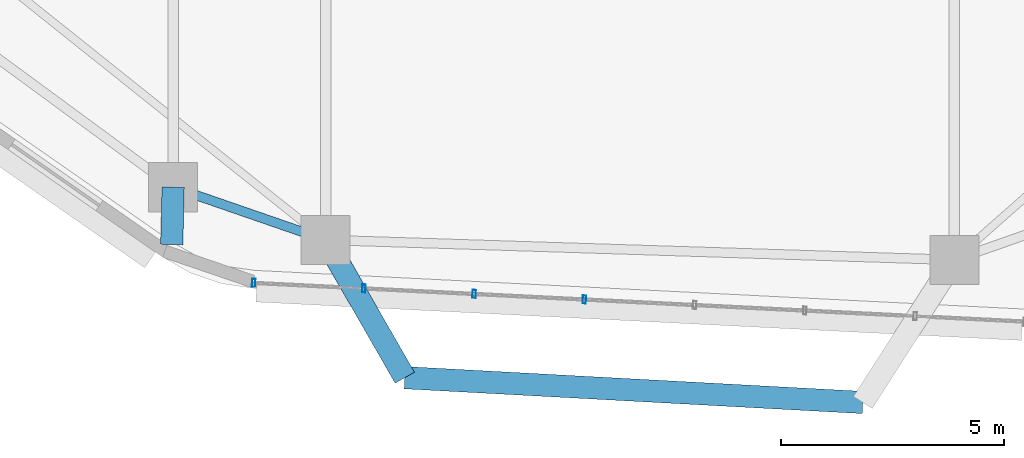
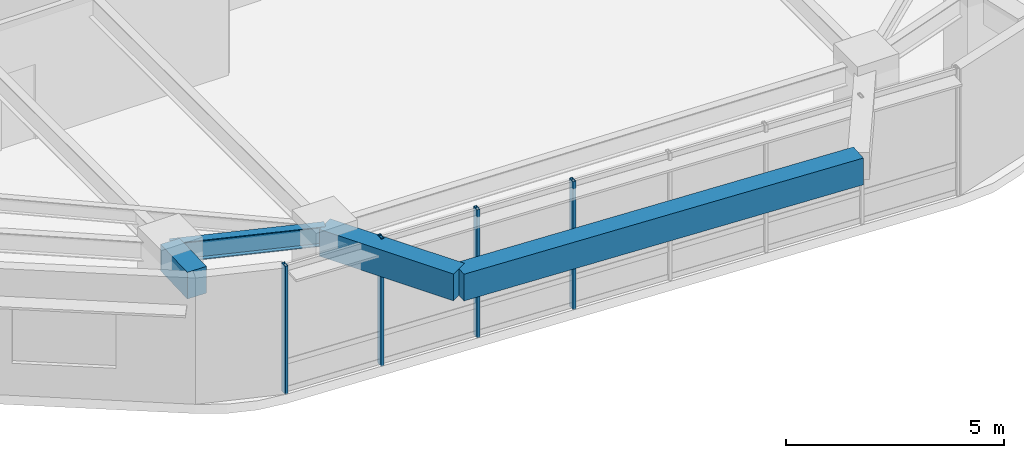
# One storey, part 2 of 14: 4 beams, 4 members, 1 element without a shape of its own.
"""IFC4 building model written with IfcOpenShell, lengths in metres."""

from ifc_helpers import new_model, si_unit, direction, frame, origin, origin_2d, place, context, subcontext, project, spatial, rectangle, hollow_rectangle, i_section, extrude, material, material_profile, profile_set, type_object, element, aggregate, save


model = new_model("IFC4")

# Units and contexts
model_context = context("Model", 3, precision=1e-05, world=origin(), true_north=direction((0.0, 1.0)))
body_context = subcontext(model_context, "Body", "Model", "MODEL_VIEW")
ifc_project = project(units=[si_unit("LENGTHUNIT", "METRE"), si_unit("AREAUNIT", "SQUARE_METRE"), si_unit("VOLUMEUNIT", "CUBIC_METRE"), si_unit("PLANEANGLEUNIT", "RADIAN"), si_unit("MASSUNIT", "GRAM", prefix="KILO")], contexts=[model_context])

# Site, building, storey
site_placement = place(None, origin())
site = spatial("IfcSite", under=ifc_project, at=site_placement, CompositionType="ELEMENT")
building_placement = place(site_placement, origin())
building = spatial("IfcBuilding", under=site, at=building_placement, Name="Zulverin Broadcast Headquarters", CompositionType="ELEMENT")
storey_placement = place(building_placement, frame((0.0, 0.0, 140.199951171875)))
storey = spatial("IfcBuildingStorey", under=building, at=storey_placement, Name="L35", CompositionType="ELEMENT", Elevation=140.199951171875)

# Beams
ifc_material_1 = material(Name="Concrete C40/50", Category="concrete")
ifc_material_profile_1 = material_profile(ifc_material_1, rectangle(XDim=0.5, YDim=0.75, at=origin_2d()), Name="Concrete C40/50", Category="concrete")
ifc_profile_set_1 = profile_set([ifc_material_profile_1], Name="Concrete C40/50")
beam_type_1 = type_object("IfcBeamType", Name="BM-RC-500x750", PredefinedType="BEAM", material=ifc_profile_set_1)
beam_1_placement = place(storey_placement, frame((27.38720703125, 5.309814453125, 3.1650390625), z_axis=(-0.025087158809, -0.999685267703, 0.0), x_axis=(0.999685267703, -0.025087158809, 0.0)))
element("IfcBeam", 1, at=beam_1_placement, inside=storey, type_object=beam_type_1, Name="L36 Plate Overhang Back-Spanned Beam OVR-16", PredefinedType="BEAM", context=body_context, shape_type="SweptSolid", body=[
    extrude(rectangle(XDim=0.5, YDim=0.75, at=origin_2d()), origin(), (0.0, 0.0, 1.0), 1.28466796875),
])
beam_2_placement = place(storey_placement, frame((30.80859375, 4.12744140625, 3.1650390625), z_axis=(0.498100347379, -0.867119394282, 0.0), x_axis=(0.867119394282, 0.498100347379, 0.0)))
element("IfcBeam", 2, at=beam_2_placement, inside=storey, type_object=beam_type_1, Name="L36 Balcony Column-Framed Cantilever BAL_S-1", PredefinedType="BEAM", context=body_context, shape_type="SweptSolid", body=[
    extrude(rectangle(XDim=0.5, YDim=0.75, at=origin_2d()), origin(), (0.0, 0.0, 1.0), 3.563232421875),
])
beam_3_placement = place(storey_placement, frame((32.58349609375, 1.03759765625, 3.1650390625), z_axis=(0.998539541611, -0.054025770138, 0.0), x_axis=(0.054025770138, 0.998539541611, 0.0)))
element("IfcBeam", 3, at=beam_3_placement, inside=storey, type_object=beam_type_1, Name="L36 Balcony Outer Edge Trimmer Beam BAL_S", PredefinedType="BEAM", context=body_context, shape_type="SweptSolid", body=[
    extrude(rectangle(XDim=0.5, YDim=0.75, at=origin_2d()), origin(), (0.0, 0.0, 1.0), 10.289794921875),
])
ifc_material_2 = material(Name="Structural steel S355JR", Category="steel")
ifc_material_profile_2 = material_profile(ifc_material_2, i_section(OverallWidth=0.2119140625, OverallDepth=0.54443359375, WebThickness=0.0126953125, FlangeThickness=0.021240234375, at=origin_2d()), Name="Structural steel S355JR", Category="steel")
ifc_profile_set_2 = profile_set([ifc_material_profile_2], Name="Structural steel S355JR")
beam_type_2 = type_object("IfcBeamType", Name="BM-UB-533", PredefinedType="SPANDREL", material=ifc_profile_set_2)
beam_4_placement = place(storey_placement, frame((27.38720703125, 5.309814453125, 3.267822265625), z_axis=(0.945152732867, -0.326628705956, 0.0), x_axis=(0.326628705956, 0.945152732867, 0.0)))
element("IfcBeam", 4, at=beam_4_placement, inside=storey, type_object=beam_type_2, Name="L35 Perimeter Spandrel Beam SP-16", PredefinedType="SPANDREL", context=body_context, shape_type="SweptSolid", body=[
    extrude(i_section(OverallWidth=0.2119140625, OverallDepth=0.54443359375, WebThickness=0.0126953125, FlangeThickness=0.021240234375, at=origin_2d()), origin(), (0.0, 0.0, 1.0), 3.619873046875),
])

# Curtain wall, members
ifc_material_3 = material(Name="Waist wind-pressure unitised curtain wall", Category="aluminium")
curtain_wall_type = type_object("IfcCurtainWallType", Name="CW-TWR-WST", PredefinedType="USERDEFINED", material=ifc_material_3)
curtain_wall_placement = place(storey_placement, origin())
curtain_wall = element("IfcCurtainWall", 5, at=curtain_wall_placement, inside=storey, type_object=curtain_wall_type, Name="L35 Unitised Curtain Wall CW-L35-E1", ObjectType="UNITISED CURTAIN WALL", PredefinedType="USERDEFINED")
ifc_material_4 = material(Name="Anodized pale-metal aluminium alloy 6063-T6", Category="aluminium")
ifc_material_profile_3 = material_profile(ifc_material_4, hollow_rectangle(XDim=0.074951171875, YDim=0.179931640625, WallThickness=0.0048828125, at=origin_2d()), Name="Anodized pale-metal aluminium alloy 6063-T6", Category="aluminium")
ifc_profile_set_3 = profile_set([ifc_material_profile_3], Name="Anodized pale-metal aluminium alloy 6063-T6")
member_type = type_object("IfcMemberType", Name="CW-MUL-180", PredefinedType="MULLION", material=ifc_profile_set_3)
member_1_placement = place(storey_placement, frame((29.19384765625, 3.163818359375, -0.030029296875), z_axis=(0.0, 0.0, 1.0), x_axis=(0.99874387485, -0.050106610841, 0.0)))
member_1 = element("IfcMember", 6, at=member_1_placement, type_object=member_type, Name="CW-L35-E1 Mullion 00", PredefinedType="MULLION", context=body_context, shape_type="SweptSolid", body=[
    extrude(hollow_rectangle(XDim=0.074951171875, YDim=0.179931640625, WallThickness=0.0048828125, at=origin_2d()), origin(), (0.0, 0.0, 1.0), 3.60009765625),
])
member_2_placement = place(storey_placement, frame((31.6669921875, 3.039794921875, -0.030029296875), z_axis=(0.0, 0.0, 1.0), x_axis=(0.99874387485, -0.050106610841, 0.0)))
member_2 = element("IfcMember", 7, at=member_2_placement, type_object=member_type, Name="CW-L35-E1 Mullion 01", PredefinedType="MULLION", context=body_context, shape_type="SweptSolid", body=[
    extrude(hollow_rectangle(XDim=0.074951171875, YDim=0.179931640625, WallThickness=0.0048828125, at=origin_2d()), origin(), (0.0, 0.0, 1.0), 3.60009765625),
])
member_3_placement = place(storey_placement, frame((34.139892578125, 2.915771484375, -0.030029296875), z_axis=(0.0, 0.0, 1.0), x_axis=(0.99874387485, -0.050106610841, 0.0)))
member_3 = element("IfcMember", 8, at=member_3_placement, type_object=member_type, Name="CW-L35-E1 Mullion 02", PredefinedType="MULLION", context=body_context, shape_type="SweptSolid", body=[
    extrude(hollow_rectangle(XDim=0.074951171875, YDim=0.179931640625, WallThickness=0.0048828125, at=origin_2d()), origin(), (0.0, 0.0, 1.0), 3.60009765625),
])
member_4_placement = place(storey_placement, frame((36.61279296875, 2.79150390625, -0.030029296875), z_axis=(0.0, 0.0, 1.0), x_axis=(0.99874387485, -0.050106610841, 0.0)))
member_4 = element("IfcMember", 9, at=member_4_placement, type_object=member_type, Name="CW-L35-E1 Mullion 03", PredefinedType="MULLION", context=body_context, shape_type="SweptSolid", body=[
    extrude(hollow_rectangle(XDim=0.074951171875, YDim=0.179931640625, WallThickness=0.0048828125, at=origin_2d()), origin(), (0.0, 0.0, 1.0), 3.60009765625),
])
aggregate(curtain_wall, [member_1, member_2, member_3, member_4])

save(model, "model.ifc")
